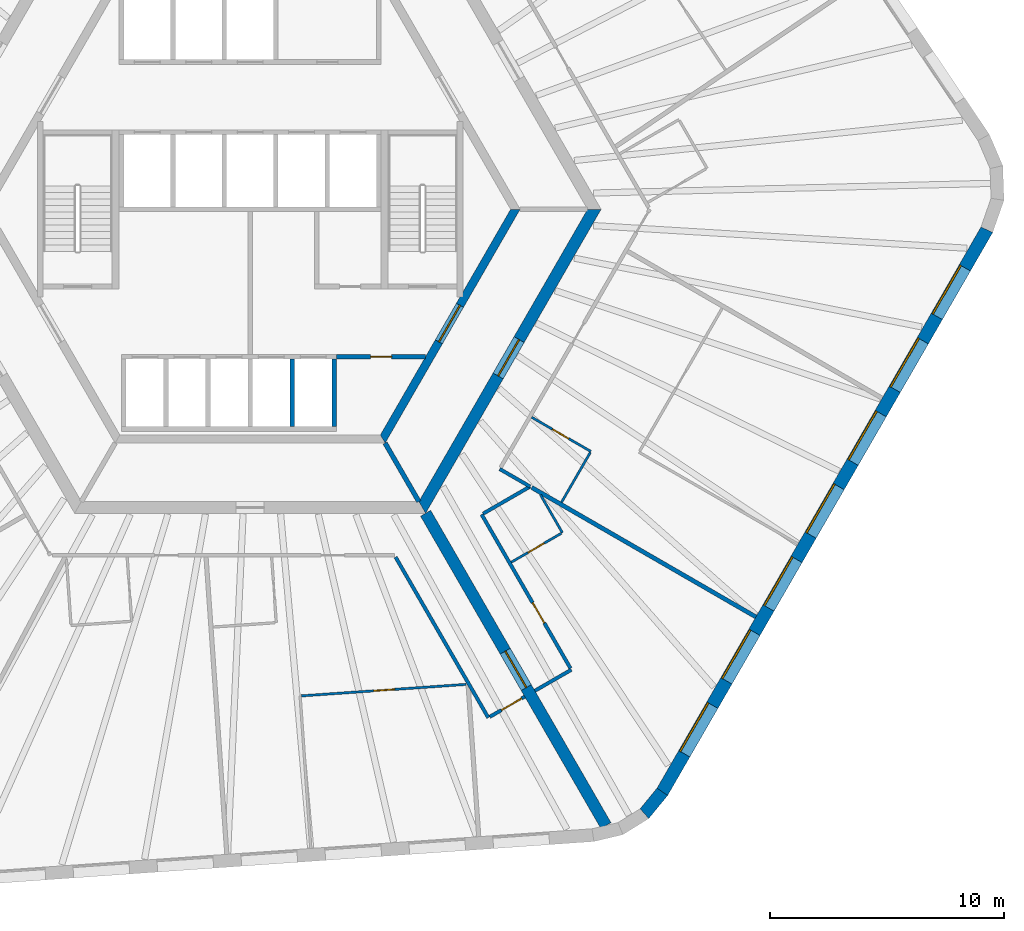
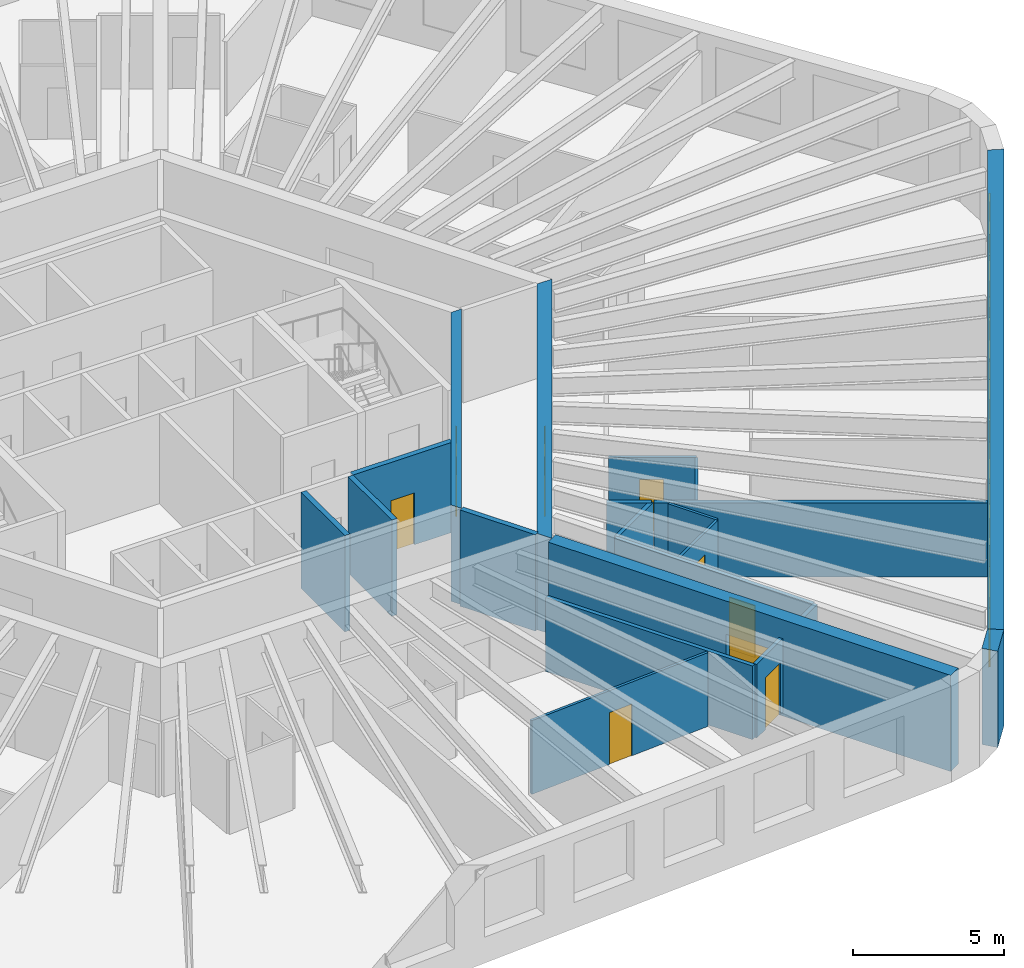
# One storey, part 5 of 10: 21 walls, 9 doors, 7 windows, 16 openings.
"""IFC4 building model written with IfcOpenShell, lengths in metres."""

from ifc_helpers import new_model, si_unit, direction, frame, frame_2d, origin, place, context, subcontext, project, spatial, polyline, rectangle, outline, extrude, material, layer, layer_set, type_object, element, fill, save


model = new_model("IFC4")

# Units and contexts
model_context = context("Model", 3, precision=1e-05, world=origin(), true_north=direction((0.0, 1.0)))
body_context = subcontext(model_context, "Body", "Model", "MODEL_VIEW")
ifc_project = project(units=[si_unit("LENGTHUNIT", "METRE"), si_unit("AREAUNIT", "SQUARE_METRE"), si_unit("VOLUMEUNIT", "CUBIC_METRE"), si_unit("PLANEANGLEUNIT", "RADIAN"), si_unit("MASSUNIT", "GRAM", prefix="KILO")], contexts=[model_context])

# Site, building, storey
site_placement = place(None, origin())
site = spatial("IfcSite", under=ifc_project, at=site_placement, CompositionType="ELEMENT")
building_placement = place(site_placement, origin())
building = spatial("IfcBuilding", under=site, at=building_placement, Name="Tarnside Tower", CompositionType="ELEMENT")
storey_placement = place(building_placement, frame((0.0, 0.0, 180.0)))
storey = spatial("IfcBuildingStorey", under=building, at=storey_placement, Name="L42", CompositionType="ELEMENT", Elevation=180.0)

# Wall
ifc_material_1 = material(Name="Gypsum board partition on steel studs", Category="steel")
ifc_layer_1 = layer(ifc_material_1, 0.10009765625)
ifc_layer_set_1 = layer_set([ifc_layer_1], Name="Bathroom wall 100")
wall_type_1 = type_object("IfcWallType", Name="Bathroom wall 100", PredefinedType="PARTITIONING", material=ifc_layer_set_1)
wall_1_placement = place(storey_placement, frame((12.42626953125, -12.22265625, 0.0), z_axis=(0.0, 0.0, 1.0), x_axis=(0.499927229454, -0.866067413802, 0.0)))
element("IfcWall", 1, at=wall_1_placement, inside=storey, type_object=wall_type_1, Name="Bathroom wall 13092", PredefinedType="PARTITIONING", context=body_context, shape_type="SweptSolid", body=[
    extrude(rectangle(XDim=1.857666015625, YDim=0.10009765625, at=frame_2d((0.9287109375, 0.0))), origin(), (0.0, 0.0, 1.0), 2.98779296875),
])

# Wall, opening, door
wall_2_placement = place(storey_placement, frame((13.311767578125, -13.856689453125, 0.0), z_axis=(0.0, 0.0, 1.0), x_axis=(-0.866073894602, -0.499916002032, 0.0)))
wall_2 = element("IfcWall", 2, at=wall_2_placement, inside=storey, type_object=wall_type_1, Name="Bathroom wall 13093", PredefinedType="PARTITIONING", context=body_context, shape_type="SweptSolid", body=[
    extrude(rectangle(XDim=2.47509765625, YDim=0.10009765625, at=frame_2d((1.237548828125, 0.0))), origin(), (0.0, 0.0, 1.0), 2.98779296875),
])
opening_1_placement = place(wall_2_placement, frame((0.85009765625, 0.0, 0.0)))
opening_1 = element("IfcOpeningElement", 3, at=opening_1_placement, cuts=wall_2, Name="Opening D-B1", PredefinedType="OPENING", context=body_context, shape_type="SweptSolid", body=[
    extrude(rectangle(XDim=0.800048828125, YDim=2.10009765625, at=frame_2d((0.39990234375, 1.050048828125))), frame((0.0, 0.06005859375, 0.0), z_axis=(0.0, -1.0, 0.0), x_axis=(1.0, 0.0, 0.0)), (0.0, 0.0, 1.0), 0.1201171875),
])
ifc_material_2 = material(Name="Timber door leaf", Category="wood")
door_type_1 = type_object("IfcDoorType", Name="Bathroom door 800", OperationType="NOTDEFINED", PredefinedType="DOOR", material=ifc_material_2)
door_1_placement = place(opening_1_placement, origin())
door_1 = element("IfcDoor", 4, at=door_1_placement, inside=storey, type_object=door_type_1, Name="Bathroom door 13025", OperationType="SINGLE_SWING_LEFT", OverallHeight=2.10009765625, OverallWidth=0.800048828125, PredefinedType="DOOR", context=body_context, shape_type="SweptSolid", body=[
    extrude(rectangle(XDim=0.800048828125, YDim=2.10009765625, at=frame_2d((0.39990234375, 1.050048828125))), frame((0.0, 0.02490234375, 0.0), z_axis=(0.0, -1.0, 0.0), x_axis=(1.0, 0.0, 0.0)), (0.0, 0.0, 1.0), 0.050048828125),
])
fill(opening_1, door_1)

wall_3_placement = place(storey_placement, frame((12.041015625, -8.894287109375, 0.0), z_axis=(0.0, 0.0, 1.0), x_axis=(0.866046596414, -0.499963291492, 0.0)))
wall_3 = element("IfcWall", 5, at=wall_3_placement, inside=storey, type_object=wall_type_1, Name="Bathroom wall 13097", PredefinedType="PARTITIONING", context=body_context, shape_type="SweptSolid", body=[
    extrude(rectangle(XDim=2.925048828125, YDim=0.10009765625, at=frame_2d((1.46240234375, 0.0))), origin(), (0.0, 0.0, 1.0), 2.98779296875),
])
opening_2_placement = place(wall_3_placement, frame((1.02490234375, 0.0, 0.0)))
opening_2 = element("IfcOpeningElement", 6, at=opening_2_placement, cuts=wall_3, Name="Opening D-B1", PredefinedType="OPENING", context=body_context, shape_type="SweptSolid", body=[
    extrude(rectangle(XDim=0.800048828125, YDim=2.10009765625, at=frame_2d((0.39990234375, 1.050048828125))), frame((0.0, 0.06005859375, 0.0), z_axis=(0.0, -1.0, 0.0), x_axis=(1.0, 0.0, 0.0)), (0.0, 0.0, 1.0), 0.1201171875),
])
door_2_placement = place(opening_2_placement, origin())
door_2 = element("IfcDoor", 7, at=door_2_placement, inside=storey, type_object=door_type_1, Name="Bathroom door 13027", OperationType="SINGLE_SWING_RIGHT", OverallHeight=2.10009765625, OverallWidth=0.800048828125, PredefinedType="DOOR", context=body_context, shape_type="SweptSolid", body=[
    extrude(rectangle(XDim=0.800048828125, YDim=2.10009765625, at=frame_2d((0.39990234375, 1.050048828125))), frame((0.0, 0.02490234375, 0.0), z_axis=(0.0, -1.0, 0.0), x_axis=(1.0, 0.0, 0.0)), (0.0, 0.0, 1.0), 0.050048828125),
])
fill(opening_2, door_2)

# Wall
wall_4_placement = place(storey_placement, frame((14.549072265625, -10.400146484375, 0.0), z_axis=(0.0, 0.0, 1.0), x_axis=(-0.500003092839, -0.866023618125, 0.0)))
element("IfcWall", 8, at=wall_4_placement, inside=storey, type_object=wall_type_1, Name="Bathroom wall 13098", PredefinedType="PARTITIONING", context=body_context, shape_type="SweptSolid", body=[
    extrude(rectangle(XDim=2.4599609375, YDim=0.10009765625, at=frame_2d((1.22998046875, 0.0))), origin(), (0.0, 0.0, 1.0), 2.98779296875),
])

# Wall, opening, door
ifc_material_3 = material(Name="Concrete C50/60", Category="concrete")
ifc_layer_2 = layer(ifc_material_3, 0.35009765625)
ifc_layer_set_2 = layer_set([ifc_layer_2], Name="Core block wall 350 C50/60")
wall_type_2 = type_object("IfcWallType", Name="Core block wall 350 C50/60", PredefinedType="SHEAR", material=ifc_layer_set_2)
wall_5_placement = place(storey_placement, frame((5.672607421875, -9.824951171875, -0.14990234375), z_axis=(0.0, 0.0, 1.0), x_axis=(0.499995046907, 0.866028263435, 0.0)))
wall_5 = element("IfcWall", 9, at=wall_5_placement, inside=storey, type_object=wall_type_2, Name="L42 core block wall face 5", PredefinedType="SHEAR", context=body_context, shape_type="SweptSolid", body=[
    extrude(outline(polyline([(-0.10107421875, -0.175048828125), (11.44580078125, -0.175048828125), (11.24365234375, 0.175048828125), (0.10107421875, 0.175048828125), (-0.10107421875, -0.175048828125)])), origin(), (0.0, 0.0, 1.0), 3.89990234375),
])
opening_3_placement = place(wall_5_placement, frame((4.80126953125, 0.0, 0.14990234375)))
opening_3 = element("IfcOpeningElement", 10, at=opening_3_placement, cuts=wall_5, Name="Opening CD-FFL", PredefinedType="OPENING", context=body_context, shape_type="SweptSolid", body=[
    extrude(rectangle(XDim=1.800048828125, YDim=2.39990234375, at=frame_2d((0.89990234375, 1.199951171875))), frame((0.0, 0.18505859375, 0.0), z_axis=(0.0, -1.0, 0.0), x_axis=(1.0, 0.0, 0.0)), (0.0, 0.0, 1.0), 0.3701171875),
])
ifc_material_4 = material(Name="Steel fire door", Category="steel")
door_type_2 = type_object("IfcDoorType", Name="Firefighting lobby double door FD60S 1800x2400", OperationType="NOTDEFINED", PredefinedType="DOOR", material=ifc_material_4)
door_3_placement = place(opening_3_placement, origin())
door_3 = element("IfcDoor", 11, at=door_3_placement, inside=storey, type_object=door_type_2, Name="L42 lobby block door P4", OperationType="DOUBLE_DOOR_SINGLE_SWING", OverallHeight=2.39990234375, OverallWidth=1.800048828125, PredefinedType="DOOR", context=body_context, shape_type="SweptSolid", body=[
    extrude(rectangle(XDim=1.800048828125, YDim=2.39990234375, at=frame_2d((0.89990234375, 1.199951171875))), frame((0.0, 0.02490234375, 0.0), z_axis=(0.0, -1.0, 0.0), x_axis=(1.0, 0.0, 0.0)), (0.0, 0.0, 1.0), 0.050048828125),
])
fill(opening_3, door_3)

ifc_material_5 = material(Name="Concrete C40/50", Category="concrete")
ifc_layer_3 = layer(ifc_material_5, 0.199951171875)
ifc_layer_set_3 = layer_set([ifc_layer_3], Name="Core room partition 200 C40/50")
wall_type_3 = type_object("IfcWallType", Name="Core room partition 200 C40/50", PredefinedType="PARTITIONING", material=ifc_layer_set_3)
wall_6_placement = place(storey_placement, frame((3.699951171875, -6.300048828125, 0.0), z_axis=(0.0, 0.0, 1.0), x_axis=(1.0, 0.0, 0.0)))
wall_6 = element("IfcWall", 12, at=wall_6_placement, inside=storey, type_object=wall_type_3, Name="L42 core partition R4X", PredefinedType="PARTITIONING", context=body_context, shape_type="SweptSolid", body=[
    extrude(rectangle(XDim=3.8056640625, YDim=0.199951171875, at=frame_2d((1.90283203125, 0.0))), origin(), (0.0, 0.0, 1.0), 3.64990234375),
])
opening_4_placement = place(wall_6_placement, frame((1.452880859375, 0.0, 0.0)))
opening_4 = element("IfcOpeningElement", 13, at=opening_4_placement, cuts=wall_6, Name="Opening CD-room", PredefinedType="OPENING", context=body_context, shape_type="SweptSolid", body=[
    extrude(rectangle(XDim=0.89990234375, YDim=2.10009765625, at=frame_2d((0.449951171875, 1.050048828125))), frame((0.0, 0.10986328125, 0.0), z_axis=(0.0, -1.0, 0.0), x_axis=(1.0, 0.0, 0.0)), (0.0, 0.0, 1.0), 0.219970703125),
])
door_type_3 = type_object("IfcDoorType", Name="Room door FD60 900x2100", OperationType="NOTDEFINED", PredefinedType="DOOR", material=ifc_material_4)
door_4_placement = place(opening_4_placement, origin())
door_4 = element("IfcDoor", 14, at=door_4_placement, inside=storey, type_object=door_type_3, Name="L42 core room door RX", OperationType="SINGLE_SWING_LEFT", OverallHeight=2.10009765625, OverallWidth=0.89990234375, PredefinedType="DOOR", context=body_context, shape_type="SweptSolid", body=[
    extrude(rectangle(XDim=0.89990234375, YDim=2.10009765625, at=frame_2d((0.449951171875, 1.050048828125))), frame((0.0, 0.02490234375, 0.0), z_axis=(0.0, -1.0, 0.0), x_axis=(1.0, 0.0, 0.0)), (0.0, 0.0, 1.0), 0.050048828125),
])
fill(opening_4, door_4)

ifc_material_6 = material(Name="Concrete C70/85", Category="concrete")
ifc_layer_4 = layer(ifc_material_6, 0.5)
ifc_layer_set_4 = layer_set([ifc_layer_4], Name="Core wall Z2 500 C70/85")
wall_type_4 = type_object("IfcWallType", Name="Core wall Z2 500 C70/85", PredefinedType="SHEAR", material=ifc_layer_set_4)
wall_7_placement = place(storey_placement, frame((7.361083984375, -12.75, -0.14990234375), z_axis=(0.0, 0.0, 1.0), x_axis=(0.50000571537, 0.866022103989, 0.0)))
wall_7 = element("IfcWall", 15, at=wall_7_placement, inside=storey, type_object=wall_type_4, Name="L42 core wall face 5", PredefinedType="SHEAR", context=body_context, shape_type="SweptSolid", body=[
    extrude(outline(polyline([(-0.144287109375, -0.25), (14.86669921875, -0.25), (14.578125, 0.25), (0.144287109375, 0.25), (-0.144287109375, -0.25)])), origin(), (0.0, 0.0, 1.0), 3.89990234375),
])
opening_5_placement = place(wall_7_placement, frame((6.489990234375, 0.0, 0.14990234375)))
opening_5 = element("IfcOpeningElement", 16, at=opening_5_placement, cuts=wall_7, Name="Opening CD-FFL", PredefinedType="OPENING", context=body_context, shape_type="SweptSolid", body=[
    extrude(rectangle(XDim=1.800048828125, YDim=2.39990234375, at=frame_2d((0.89990234375, 1.199951171875))), frame((0.0, 0.260009765625, 0.0), z_axis=(0.0, -1.0, 0.0), x_axis=(1.0, 0.0, 0.0)), (0.0, 0.0, 1.0), 0.52001953125),
])
door_5_placement = place(opening_5_placement, origin())
door_5 = element("IfcDoor", 17, at=door_5_placement, inside=storey, type_object=door_type_2, Name="L42 core door P4", OperationType="DOUBLE_DOOR_SINGLE_SWING", OverallHeight=2.39990234375, OverallWidth=1.800048828125, PredefinedType="DOOR", context=body_context, shape_type="SweptSolid", body=[
    extrude(rectangle(XDim=1.800048828125, YDim=2.39990234375, at=frame_2d((0.89990234375, 1.199951171875))), frame((0.0, 0.02490234375, 0.0), z_axis=(0.0, -1.0, 0.0), x_axis=(1.0, 0.0, 0.0)), (0.0, 0.0, 1.0), 0.050048828125),
])
fill(opening_5, door_5)

wall_8_placement = place(storey_placement, frame((7.505615234375, -13.0, -0.14990234375), z_axis=(0.0, 0.0, 1.0), x_axis=(0.499988271576, -0.866032175087, 0.0)))
wall_8 = element("IfcWall", 18, at=wall_8_placement, inside=storey, type_object=wall_type_4, Name="L42 spine wall 3", PredefinedType="SHEAR", context=body_context, shape_type="SweptSolid", body=[
    extrude(rectangle(XDim=15.423583984375, YDim=0.5, at=frame_2d((7.7119140625, 0.0))), origin(), (0.0, 0.0, 1.0), 3.89990234375),
])
opening_6_placement = place(wall_8_placement, frame((6.811767578125, 0.0, 0.14990234375)))
opening_6 = element("IfcOpeningElement", 19, at=opening_6_placement, cuts=wall_8, Name="Opening CD-SPN", PredefinedType="OPENING", context=body_context, shape_type="SweptSolid", body=[
    extrude(rectangle(XDim=1.800048828125, YDim=2.39990234375, at=frame_2d((0.89990234375, 1.199951171875))), frame((0.0, 0.260009765625, 0.0), z_axis=(0.0, -1.0, 0.0), x_axis=(1.0, 0.0, 0.0)), (0.0, 0.0, 1.0), 0.52001953125),
])
door_type_4 = type_object("IfcDoorType", Name="Spine passage double door FD60 1800x2400", OperationType="NOTDEFINED", PredefinedType="DOOR", material=ifc_material_4)
door_6_placement = place(opening_6_placement, origin())
door_6 = element("IfcDoor", 20, at=door_6_placement, inside=storey, type_object=door_type_4, Name="L42 spine passage door 3", OperationType="DOUBLE_DOOR_SINGLE_SWING", OverallHeight=2.39990234375, OverallWidth=1.800048828125, PredefinedType="DOOR", context=body_context, shape_type="SweptSolid", body=[
    extrude(rectangle(XDim=1.800048828125, YDim=2.39990234375, at=frame_2d((0.89990234375, 1.199951171875))), frame((0.0, 0.02490234375, 0.0), z_axis=(0.0, -1.0, 0.0), x_axis=(1.0, 0.0, 0.0)), (0.0, 0.0, 1.0), 0.050048828125),
])
fill(opening_6, door_6)

# Wall
ifc_layer_5 = layer(ifc_material_1, 0.14990234375)
ifc_layer_set_5 = layer_set([ifc_layer_5], Name="Corridor wall 150 EI 60")
wall_type_5 = type_object("IfcWallType", Name="Corridor wall 150 EI 60", PredefinedType="PARTITIONING", material=ifc_layer_set_5)
wall_9_placement = place(storey_placement, frame((6.220947265625, -14.875, 0.0), z_axis=(0.0, 0.0, 1.0), x_axis=(0.499989830942, -0.866031274813, 0.0)))
element("IfcWall", 21, at=wall_9_placement, inside=storey, type_object=wall_type_5, Name="Corridor wall 13029", PredefinedType="PARTITIONING", context=body_context, shape_type="SweptSolid", body=[
    extrude(rectangle(XDim=7.930419921875, YDim=0.14990234375, at=frame_2d((3.96533203125, 0.0))), origin(), (0.0, 0.0, 1.0), 2.98779296875),
])

# Wall, opening, door
wall_10_placement = place(storey_placement, frame((10.2509765625, -21.705322265625, 0.0), z_axis=(0.0, 0.0, 1.0), x_axis=(0.866013532718, 0.500020560727, 0.0)))
wall_10 = element("IfcWall", 22, at=wall_10_placement, inside=storey, type_object=wall_type_5, Name="Corridor wall 13032", PredefinedType="PARTITIONING", context=body_context, shape_type="SweptSolid", body=[
    extrude(rectangle(XDim=1.72509765625, YDim=0.14990234375, at=frame_2d((0.862548828125, 0.0))), origin(), (0.0, 0.0, 1.0), 2.98779296875),
])
opening_7_placement = place(wall_10_placement, frame((0.574951171875, 0.0, 0.0)))
opening_7 = element("IfcOpeningElement", 23, at=opening_7_placement, cuts=wall_10, Name="Opening D-E1", PredefinedType="OPENING", context=body_context, shape_type="SweptSolid", body=[
    extrude(rectangle(XDim=1.0, YDim=2.10009765625, at=frame_2d((0.5, 1.050048828125))), frame((0.0, 0.0849609375, 0.0), z_axis=(0.0, -1.0, 0.0), x_axis=(1.0, 0.0, 0.0)), (0.0, 0.0, 1.0), 0.169921875),
])
door_type_5 = type_object("IfcDoorType", Name="Unit entrance door 1000 FD30S", OperationType="NOTDEFINED", PredefinedType="DOOR", material=ifc_material_2)
door_7_placement = place(opening_7_placement, origin())
door_7 = element("IfcDoor", 24, at=door_7_placement, inside=storey, type_object=door_type_5, Name="Unit door 13023", OperationType="SINGLE_SWING_LEFT", OverallHeight=2.10009765625, OverallWidth=1.0, PredefinedType="DOOR", context=body_context, shape_type="SweptSolid", body=[
    extrude(rectangle(XDim=1.0, YDim=2.10009765625, at=frame_2d((0.5, 1.050048828125))), frame((0.0, 0.02490234375, 0.0), z_axis=(0.0, -1.0, 0.0), x_axis=(1.0, 0.0, 0.0)), (0.0, 0.0, 1.0), 0.050048828125),
])
fill(opening_7, door_7)

# Wall
wall_11_placement = place(storey_placement, frame((12.177978515625, -20.5927734375, 0.0), z_axis=(0.0, 0.0, 1.0), x_axis=(0.866047807691, 0.499961193289, 0.0)))
element("IfcWall", 25, at=wall_11_placement, inside=storey, type_object=wall_type_5, Name="Corridor wall 13033", PredefinedType="PARTITIONING", context=body_context, shape_type="SweptSolid", body=[
    extrude(rectangle(XDim=1.800048828125, YDim=0.14990234375, at=frame_2d((0.89990234375, 0.0))), origin(), (0.0, 0.0, 1.0), 2.98779296875),
])

# Wall, opening, door
wall_12_placement = place(storey_placement, frame((13.69921875, -19.6279296875, 0.0), z_axis=(0.0, 0.0, 1.0), x_axis=(-0.499998968938, 0.866025999068, 0.0)))
wall_12 = element("IfcWall", 26, at=wall_12_placement, inside=storey, type_object=wall_type_5, Name="Corridor wall 13034", PredefinedType="PARTITIONING", context=body_context, shape_type="SweptSolid", body=[
    extrude(rectangle(XDim=7.591796875, YDim=0.14990234375, at=frame_2d((3.7958984375, 0.0))), origin(), (0.0, 0.0, 1.0), 2.98779296875),
])
opening_8_placement = place(wall_12_placement, frame((2.2333984375, 0.0, 0.0)))
opening_8 = element("IfcOpeningElement", 27, at=opening_8_placement, cuts=wall_12, Name="Opening D-E1", PredefinedType="OPENING", context=body_context, shape_type="SweptSolid", body=[
    extrude(rectangle(XDim=1.0, YDim=2.10009765625, at=frame_2d((0.5, 1.050048828125))), frame((0.0, 0.0849609375, 0.0), z_axis=(0.0, -1.0, 0.0), x_axis=(1.0, 0.0, 0.0)), (0.0, 0.0, 1.0), 0.169921875),
])
door_8_placement = place(opening_8_placement, origin())
door_8 = element("IfcDoor", 28, at=door_8_placement, inside=storey, type_object=door_type_5, Name="Unit door 13024", OperationType="SINGLE_SWING_LEFT", OverallHeight=2.10009765625, OverallWidth=1.0, PredefinedType="DOOR", context=body_context, shape_type="SweptSolid", body=[
    extrude(rectangle(XDim=1.0, YDim=2.10009765625, at=frame_2d((0.5, 1.050048828125))), frame((0.0, 0.02490234375, 0.0), z_axis=(0.0, -1.0, 0.0), x_axis=(1.0, 0.0, 0.0)), (0.0, 0.0, 1.0), 0.050048828125),
])
fill(opening_8, door_8)

# Walls
wall_13_placement = place(storey_placement, frame((9.96826171875, -13.015625, 0.0), z_axis=(0.0, 0.0, 1.0), x_axis=(0.866022320763, 0.500005339912, 0.0)))
element("IfcWall", 29, at=wall_13_placement, inside=storey, type_object=wall_type_5, Name="Corridor wall 13036", PredefinedType="PARTITIONING", context=body_context, shape_type="SweptSolid", body=[
    extrude(rectangle(XDim=2.31591796875, YDim=0.14990234375, at=frame_2d((1.157958984375, 0.0))), origin(), (0.0, 0.0, 1.0), 2.98779296875),
])
wall_14_placement = place(storey_placement, frame((11.9765625, -11.859375, 0.0), z_axis=(0.0, 0.0, 1.0), x_axis=(-0.865993364801, 0.500055489042, 0.0)))
element("IfcWall", 30, at=wall_14_placement, inside=storey, type_object=wall_type_5, Name="Corridor wall 13038", PredefinedType="PARTITIONING", context=body_context, shape_type="SweptSolid", body=[
    extrude(rectangle(XDim=1.501708984375, YDim=0.14990234375, at=frame_2d((0.7509765625, 0.0))), origin(), (0.0, 0.0, 1.0), 2.98779296875),
])
ifc_layer_6 = layer(ifc_material_1, 0.179931640625)
ifc_layer_set_6 = layer_set([ifc_layer_6], Name="Demising wall 180 EI 60")
wall_type_6 = type_object("IfcWallType", Name="Demising wall 180 EI 60", PredefinedType="PARTITIONING", material=ifc_layer_set_6)
wall_15_placement = place(storey_placement, frame((21.63134765625, -17.433349609375, 0.0), z_axis=(0.0, 0.0, 1.0), x_axis=(-0.866031296205, 0.499989793889, 0.0)))
element("IfcWall", 31, at=wall_15_placement, inside=storey, type_object=wall_type_6, Name="Demising wall 13094", PredefinedType="PARTITIONING", context=body_context, shape_type="SweptSolid", body=[
    extrude(rectangle(XDim=11.067138671875, YDim=0.179931640625, at=frame_2d((5.53369140625, 0.0))), origin(), (0.0, 0.0, 1.0), 2.98779296875),
])
ifc_layer_7 = layer(ifc_material_5, 0.199951171875)
ifc_layer_set_7 = layer_set([ifc_layer_7], Name="Lift shaft wall 200 C40/50")
wall_type_7 = type_object("IfcWallType", Name="Lift shaft wall 200 C40/50", PredefinedType="SHEAR", material=ifc_layer_set_7)
for number, where, z_axis, x_axis, name in (
    (32, (1.800048828125, -9.300048828125, -0.25), (0.0, 0.0, 1.0), (0.0, 1.0, 0.0), "L42 lift shaft partition R45"),
    (33, (3.60009765625, -9.300048828125, -0.25), (0.0, 0.0, 1.0), (0.0, 1.0, 0.0), "L42 lift shaft partition R46"),
):
    element("IfcWall", number, at=place(storey_placement, frame(where, z_axis=z_axis, x_axis=x_axis)), inside=storey, type_object=wall_type_7, Name=name, PredefinedType="SHEAR", context=body_context, shape_type="SweptSolid", body=[
        extrude(rectangle(XDim=2.900146484375, YDim=0.199951171875, at=frame_2d((1.4501953125, 0.0))), origin(), (0.0, 0.0, 1.0), 3.89990234375),
    ])
wall_16_placement = place(storey_placement, frame((5.7734375, -10.0, -0.14990234375), z_axis=(0.0, 0.0, 1.0), x_axis=(0.499995765644, -0.866027848477, 0.0)))
element("IfcWall", 34, at=wall_16_placement, inside=storey, type_object=wall_type_7, Name="L42 core partition AR300", PredefinedType="SHEAR", context=body_context, shape_type="SweptSolid", body=[
    extrude(rectangle(XDim=2.88671875, YDim=0.199951171875, at=frame_2d((1.443359375, 0.0))), origin(), (0.0, 0.0, 1.0), 3.89990234375),
])

# Wall, opening, door
ifc_layer_8 = layer(ifc_material_1, 0.10009765625)
ifc_layer_set_8 = layer_set([ifc_layer_8], Name="Partition 100")
wall_type_8 = type_object("IfcWallType", Name="Partition 100", PredefinedType="PARTITIONING", material=ifc_layer_set_8)
wall_17_placement = place(storey_placement, frame((2.189208984375, -20.8115234375, 0.0), z_axis=(0.0, 0.0, 1.0), x_axis=(0.997564480369, 0.06975032263, 0.0)))
wall_17 = element("IfcWall", 35, at=wall_17_placement, inside=storey, type_object=wall_type_8, Name="Partition wall 13090", PredefinedType="PARTITIONING", context=body_context, shape_type="SweptSolid", body=[
    extrude(rectangle(XDim=7.059814453125, YDim=0.10009765625, at=frame_2d((3.52978515625, 0.0))), origin(), (0.0, 0.0, 1.0), 2.98779296875),
])
opening_9_placement = place(wall_17_placement, frame((3.10009765625, 0.0, 0.0)))
opening_9 = element("IfcOpeningElement", 36, at=opening_9_placement, cuts=wall_17, Name="Opening D-I1", PredefinedType="OPENING", context=body_context, shape_type="SweptSolid", body=[
    extrude(rectangle(XDim=0.89990234375, YDim=2.10009765625, at=frame_2d((0.449951171875, 1.050048828125))), frame((0.0, 0.06005859375, 0.0), z_axis=(0.0, -1.0, 0.0), x_axis=(1.0, 0.0, 0.0)), (0.0, 0.0, 1.0), 0.1201171875),
])
door_type_6 = type_object("IfcDoorType", Name="Internal door 900", OperationType="NOTDEFINED", PredefinedType="DOOR", material=ifc_material_2)
door_9_placement = place(opening_9_placement, origin())
door_9 = element("IfcDoor", 37, at=door_9_placement, inside=storey, type_object=door_type_6, Name="Internal door 13022", OperationType="SINGLE_SWING_LEFT", OverallHeight=2.10009765625, OverallWidth=0.89990234375, PredefinedType="DOOR", context=body_context, shape_type="SweptSolid", body=[
    extrude(rectangle(XDim=0.89990234375, YDim=2.10009765625, at=frame_2d((0.449951171875, 1.050048828125))), frame((0.0, 0.02490234375, 0.0), z_axis=(0.0, -1.0, 0.0), x_axis=(1.0, 0.0, 0.0)), (0.0, 0.0, 1.0), 0.050048828125),
])
fill(opening_9, door_9)

# Wall
ifc_material_7 = material(Name="Facing brick", Category="masonry")
ifc_layer_9 = layer(ifc_material_7, 0.10205078125)
ifc_material_8 = material(Name="Concrete C60/75 precast", Category="concrete")
ifc_layer_10 = layer(ifc_material_8, 0.347900390625)
ifc_material_9 = material(Name="Mineral wool insulation")
ifc_layer_11 = layer(ifc_material_9, 0.10009765625)
ifc_layer_set_9 = layer_set([ifc_layer_9, ifc_layer_10, ifc_layer_11], Name="Tube wall 550 brick faced")
wall_type_9 = type_object("IfcWallType", Name="Tube wall 550 brick faced", PredefinedType="SOLIDWALL", material=ifc_layer_set_9)
wall_18_placement = place(storey_placement, frame((16.8642578125, -25.848388671875, -0.14990234375), z_axis=(0.0, 0.0, 1.0), x_axis=(0.633842757806, 0.773461930787, 0.0)))
element("IfcWall", 38, at=wall_18_placement, inside=storey, type_object=wall_type_9, Name="Tube wall L42 F4 chord 15", PredefinedType="SOLIDWALL", context=body_context, shape_type="SweptSolid", body=[
    extrude(outline(polyline([(-0.045166015625, -0.27490234375), (1.230712890625, -0.27490234375), (1.185791015625, 0.27490234375), (0.045166015625, 0.27490234375), (-0.045166015625, -0.27490234375)])), origin(), (0.0, 0.0, 1.0), 3.89990234375),
])

# Wall, openings, windows
wall_19_placement = place(storey_placement, frame((17.630126953125, -24.913818359375, -0.14990234375), z_axis=(0.0, 0.0, 1.0), x_axis=(0.499998569178, 0.866026229868, 0.0)))
wall_19 = element("IfcWall", 39, at=wall_19_placement, inside=storey, type_object=wall_type_9, Name="Tube wall L42 F5 flush 16", PredefinedType="SOLIDWALL", context=body_context, shape_type="SweptSolid", body=[
    extrude(outline(polyline([(-0.0224609375, -0.27490234375), (27.783447265625, -0.27490234375), (27.732177734375, 0.27490234375), (0.0224609375, 0.27490234375), (-0.0224609375, -0.27490234375)])), origin(), (0.0, 0.0, 1.0), 3.89990234375),
])
opening_10_placement = place(wall_19_placement, frame((1.87890625, 0.0, 1.050048828125)))
opening_10 = element("IfcOpeningElement", 40, at=opening_10_placement, cuts=wall_19, Name="Opening WH", PredefinedType="OPENING", context=body_context, shape_type="SweptSolid", body=[
    extrude(rectangle(XDim=2.39990234375, YDim=2.39990234375, at=frame_2d((1.199951171875, 1.199951171875))), frame((0.0, 0.28515625, 0.0), z_axis=(0.0, -1.0, 0.0), x_axis=(1.0, 0.0, 0.0)), (0.0, 0.0, 1.0), 0.570068359375),
])
opening_11_placement = place(wall_19_placement, frame((5.47900390625, 0.0, 1.050048828125)))
opening_11 = element("IfcOpeningElement", 41, at=opening_11_placement, cuts=wall_19, Name="Opening WH", PredefinedType="OPENING", context=body_context, shape_type="SweptSolid", body=[
    extrude(rectangle(XDim=2.39990234375, YDim=2.39990234375, at=frame_2d((1.199951171875, 1.199951171875))), frame((0.0, 0.28515625, 0.0), z_axis=(0.0, -1.0, 0.0), x_axis=(1.0, 0.0, 0.0)), (0.0, 0.0, 1.0), 0.570068359375),
])
opening_12_placement = place(wall_19_placement, frame((9.078857421875, 0.0, 1.050048828125)))
opening_12 = element("IfcOpeningElement", 42, at=opening_12_placement, cuts=wall_19, Name="Opening WH", PredefinedType="OPENING", context=body_context, shape_type="SweptSolid", body=[
    extrude(rectangle(XDim=2.39990234375, YDim=2.39990234375, at=frame_2d((1.199951171875, 1.199951171875))), frame((0.0, 0.28515625, 0.0), z_axis=(0.0, -1.0, 0.0), x_axis=(1.0, 0.0, 0.0)), (0.0, 0.0, 1.0), 0.570068359375),
])
opening_13_placement = place(wall_19_placement, frame((12.678955078125, 0.0, 1.050048828125)))
opening_13 = element("IfcOpeningElement", 43, at=opening_13_placement, cuts=wall_19, Name="Opening WH", PredefinedType="OPENING", context=body_context, shape_type="SweptSolid", body=[
    extrude(rectangle(XDim=2.39990234375, YDim=2.39990234375, at=frame_2d((1.199951171875, 1.199951171875))), frame((0.0, 0.28515625, 0.0), z_axis=(0.0, -1.0, 0.0), x_axis=(1.0, 0.0, 0.0)), (0.0, 0.0, 1.0), 0.570068359375),
])
opening_14_placement = place(wall_19_placement, frame((16.27880859375, 0.0, 1.050048828125)))
opening_14 = element("IfcOpeningElement", 44, at=opening_14_placement, cuts=wall_19, Name="Opening WH", PredefinedType="OPENING", context=body_context, shape_type="SweptSolid", body=[
    extrude(rectangle(XDim=2.39990234375, YDim=2.39990234375, at=frame_2d((1.199951171875, 1.199951171875))), frame((0.0, 0.28515625, 0.0), z_axis=(0.0, -1.0, 0.0), x_axis=(1.0, 0.0, 0.0)), (0.0, 0.0, 1.0), 0.570068359375),
])
opening_15_placement = place(wall_19_placement, frame((19.87890625, 0.0, 1.050048828125)))
opening_15 = element("IfcOpeningElement", 45, at=opening_15_placement, cuts=wall_19, Name="Opening WH", PredefinedType="OPENING", context=body_context, shape_type="SweptSolid", body=[
    extrude(rectangle(XDim=2.39990234375, YDim=2.39990234375, at=frame_2d((1.199951171875, 1.199951171875))), frame((0.0, 0.28515625, 0.0), z_axis=(0.0, -1.0, 0.0), x_axis=(1.0, 0.0, 0.0)), (0.0, 0.0, 1.0), 0.570068359375),
])
opening_16_placement = place(wall_19_placement, frame((23.47900390625, 0.0, 1.050048828125)))
opening_16 = element("IfcOpeningElement", 46, at=opening_16_placement, cuts=wall_19, Name="Opening WH", PredefinedType="OPENING", context=body_context, shape_type="SweptSolid", body=[
    extrude(rectangle(XDim=2.39990234375, YDim=2.39990234375, at=frame_2d((1.199951171875, 1.199951171875))), frame((0.0, 0.28515625, 0.0), z_axis=(0.0, -1.0, 0.0), x_axis=(1.0, 0.0, 0.0)), (0.0, 0.0, 1.0), 0.570068359375),
])
ifc_material_10 = material(Name="Aluminium-framed double glazing", Category="aluminium")
window_type = type_object("IfcWindowType", Name="Hotel window 2400 x 2400", PartitioningType="DOUBLE_PANEL_VERTICAL", PredefinedType="WINDOW", material=ifc_material_10)
window_1_placement = place(opening_10_placement, frame((0.0, 0.205078125, 0.0)))
window_1 = element("IfcWindow", 47, at=window_1_placement, inside=storey, type_object=window_type, Name="E.WN.L42.F5.00", OverallHeight=2.39990234375, OverallWidth=2.39990234375, PartitioningType="DOUBLE_PANEL_VERTICAL", PredefinedType="WINDOW", context=body_context, shape_type="SweptSolid", body=[
    extrude(rectangle(XDim=2.39990234375, YDim=2.39990234375, at=frame_2d((1.199951171875, 1.199951171875))), frame((0.0, 0.030029296875, 0.0), z_axis=(0.0, -1.0, 0.0), x_axis=(1.0, 0.0, 0.0)), (0.0, 0.0, 1.0), 0.06005859375),
])
fill(opening_10, window_1)
window_2_placement = place(opening_11_placement, frame((0.0, 0.205078125, 0.0)))
window_2 = element("IfcWindow", 48, at=window_2_placement, inside=storey, type_object=window_type, Name="E.WN.L42.F5.01", OverallHeight=2.39990234375, OverallWidth=2.39990234375, PartitioningType="DOUBLE_PANEL_VERTICAL", PredefinedType="WINDOW", context=body_context, shape_type="SweptSolid", body=[
    extrude(rectangle(XDim=2.39990234375, YDim=2.39990234375, at=frame_2d((1.199951171875, 1.199951171875))), frame((0.0, 0.030029296875, 0.0), z_axis=(0.0, -1.0, 0.0), x_axis=(1.0, 0.0, 0.0)), (0.0, 0.0, 1.0), 0.06005859375),
])
fill(opening_11, window_2)
window_3_placement = place(opening_12_placement, frame((0.0, 0.205078125, 0.0)))
window_3 = element("IfcWindow", 49, at=window_3_placement, inside=storey, type_object=window_type, Name="E.WN.L42.F5.02", OverallHeight=2.39990234375, OverallWidth=2.39990234375, PartitioningType="DOUBLE_PANEL_VERTICAL", PredefinedType="WINDOW", context=body_context, shape_type="SweptSolid", body=[
    extrude(rectangle(XDim=2.39990234375, YDim=2.39990234375, at=frame_2d((1.199951171875, 1.199951171875))), frame((0.0, 0.030029296875, 0.0), z_axis=(0.0, -1.0, 0.0), x_axis=(1.0, 0.0, 0.0)), (0.0, 0.0, 1.0), 0.06005859375),
])
fill(opening_12, window_3)
window_4_placement = place(opening_13_placement, frame((0.0, 0.205078125, 0.0)))
window_4 = element("IfcWindow", 50, at=window_4_placement, inside=storey, type_object=window_type, Name="E.WN.L42.F5.03", OverallHeight=2.39990234375, OverallWidth=2.39990234375, PartitioningType="DOUBLE_PANEL_VERTICAL", PredefinedType="WINDOW", context=body_context, shape_type="SweptSolid", body=[
    extrude(rectangle(XDim=2.39990234375, YDim=2.39990234375, at=frame_2d((1.199951171875, 1.199951171875))), frame((0.0, 0.030029296875, 0.0), z_axis=(0.0, -1.0, 0.0), x_axis=(1.0, 0.0, 0.0)), (0.0, 0.0, 1.0), 0.06005859375),
])
fill(opening_13, window_4)
window_5_placement = place(opening_14_placement, frame((0.0, 0.205078125, 0.0)))
window_5 = element("IfcWindow", 51, at=window_5_placement, inside=storey, type_object=window_type, Name="E.WN.L42.F5.04", OverallHeight=2.39990234375, OverallWidth=2.39990234375, PartitioningType="DOUBLE_PANEL_VERTICAL", PredefinedType="WINDOW", context=body_context, shape_type="SweptSolid", body=[
    extrude(rectangle(XDim=2.39990234375, YDim=2.39990234375, at=frame_2d((1.199951171875, 1.199951171875))), frame((0.0, 0.030029296875, 0.0), z_axis=(0.0, -1.0, 0.0), x_axis=(1.0, 0.0, 0.0)), (0.0, 0.0, 1.0), 0.06005859375),
])
fill(opening_14, window_5)
window_6_placement = place(opening_15_placement, frame((0.0, 0.205078125, 0.0)))
window_6 = element("IfcWindow", 52, at=window_6_placement, inside=storey, type_object=window_type, Name="E.WN.L42.F5.05", OverallHeight=2.39990234375, OverallWidth=2.39990234375, PartitioningType="DOUBLE_PANEL_VERTICAL", PredefinedType="WINDOW", context=body_context, shape_type="SweptSolid", body=[
    extrude(rectangle(XDim=2.39990234375, YDim=2.39990234375, at=frame_2d((1.199951171875, 1.199951171875))), frame((0.0, 0.030029296875, 0.0), z_axis=(0.0, -1.0, 0.0), x_axis=(1.0, 0.0, 0.0)), (0.0, 0.0, 1.0), 0.06005859375),
])
fill(opening_15, window_6)
window_7_placement = place(opening_16_placement, frame((0.0, 0.205078125, 0.0)))
window_7 = element("IfcWindow", 53, at=window_7_placement, inside=storey, type_object=window_type, Name="E.WN.L42.F5.06", OverallHeight=2.39990234375, OverallWidth=2.39990234375, PartitioningType="DOUBLE_PANEL_VERTICAL", PredefinedType="WINDOW", context=body_context, shape_type="SweptSolid", body=[
    extrude(rectangle(XDim=2.39990234375, YDim=2.39990234375, at=frame_2d((1.199951171875, 1.199951171875))), frame((0.0, 0.030029296875, 0.0), z_axis=(0.0, -1.0, 0.0), x_axis=(1.0, 0.0, 0.0)), (0.0, 0.0, 1.0), 0.06005859375),
])
fill(opening_16, window_7)

save(model, "model.ifc")
